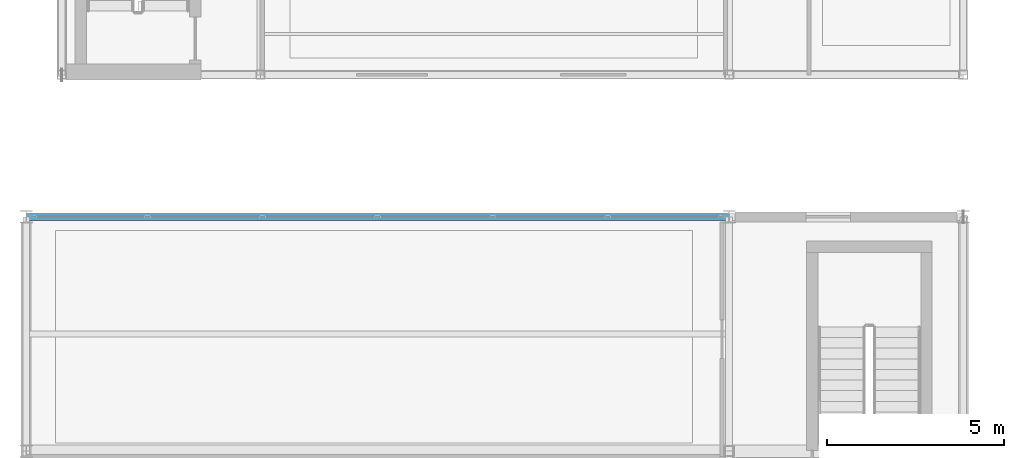
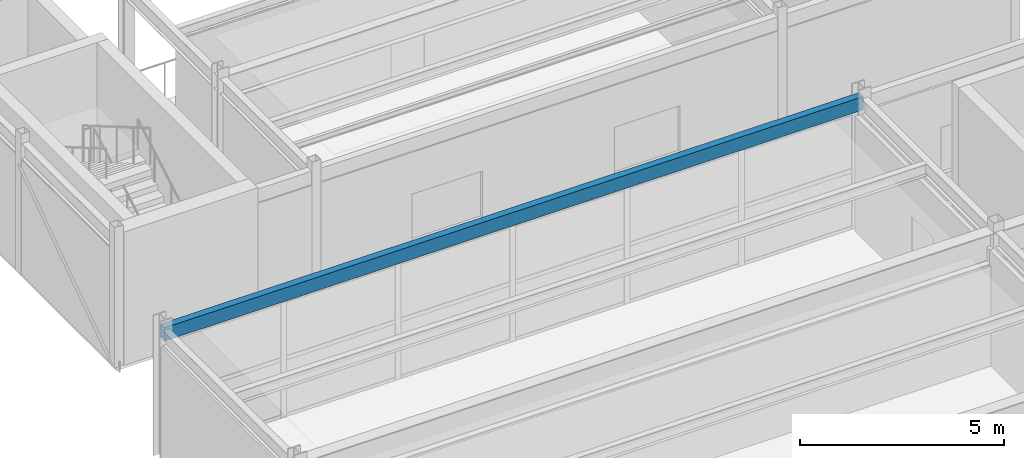
# One storey, part 20 of 148: 1 beam.
"""IFC4 building model written with IfcOpenShell, lengths in metres."""

from ifc_helpers import new_model, si_unit, direction, frame, origin, origin_2d, place, context, subcontext, project, spatial, hollow_rectangle, extrude, material, material_profile, profile_set, type_object, element, save


model = new_model("IFC4")

# Units and contexts
model_context = context("Model", 3, precision=1e-05, world=origin(), true_north=direction((0.0, 1.0)))
body_context = subcontext(model_context, "Body", "Model", "MODEL_VIEW")
ifc_project = project(units=[si_unit("LENGTHUNIT", "METRE"), si_unit("AREAUNIT", "SQUARE_METRE"), si_unit("VOLUMEUNIT", "CUBIC_METRE"), si_unit("PLANEANGLEUNIT", "RADIAN"), si_unit("MASSUNIT", "GRAM", prefix="KILO")], contexts=[model_context])

# Site, building, storey
site_placement = place(None, origin())
site = spatial("IfcSite", under=ifc_project, at=site_placement, CompositionType="ELEMENT")
building_placement = place(site_placement, origin())
building = spatial("IfcBuilding", under=site, at=building_placement, Name="Karori Crest Natural Sciences Institute", CompositionType="ELEMENT")
storey_placement = place(building_placement, frame((0.0, 0.0, 4.89990234375)))
storey = spatial("IfcBuildingStorey", under=building, at=storey_placement, Name="L01", CompositionType="ELEMENT", Elevation=4.89990234375)

# Beam
ifc_material = material(Name="Hollow structural steel AS/NZS 1163 Grade C350", Category="steel")
ifc_material_profile = material_profile(ifc_material, hollow_rectangle(XDim=0.199951171875, YDim=0.39990234375, WallThickness=0.012451171875, at=origin_2d()), Name="RHS400x200x12.5")
ifc_profile_set = profile_set([ifc_material_profile], Name="Hollow structural steel AS/NZS 1163 Grade C350")
beam_type = type_object("IfcBeamType", Name="BT-14", PredefinedType="SPANDREL", material=ifc_profile_set)
beam_placement = place(storey_placement, frame((0.800048828125, 27.199951171875, 3.72021484375), z_axis=(1.0, 0.0, 0.0), x_axis=(0.0, 1.0, 0.0)))
element("IfcBeam", 1, at=beam_placement, inside=storey, type_object=beam_type, Name="Beam B-0821", PredefinedType="SPANDREL", context=body_context, shape_type="SweptSolid", body=[
    extrude(hollow_rectangle(XDim=0.199951171875, YDim=0.39990234375, WallThickness=0.012451171875, at=origin_2d()), origin(), (0.0, 0.0, 1.0), 19.800048828125),
])

save(model, "model.ifc")
